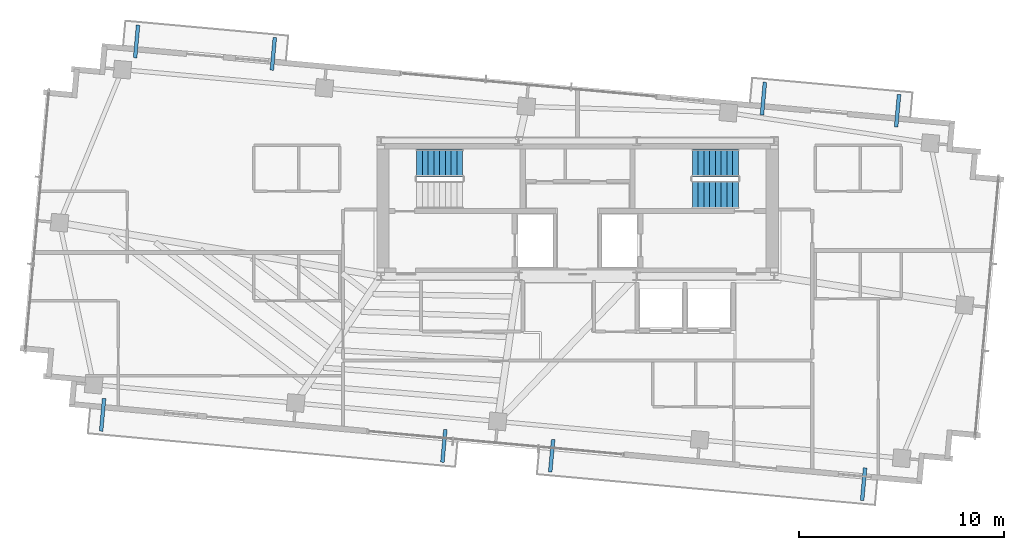
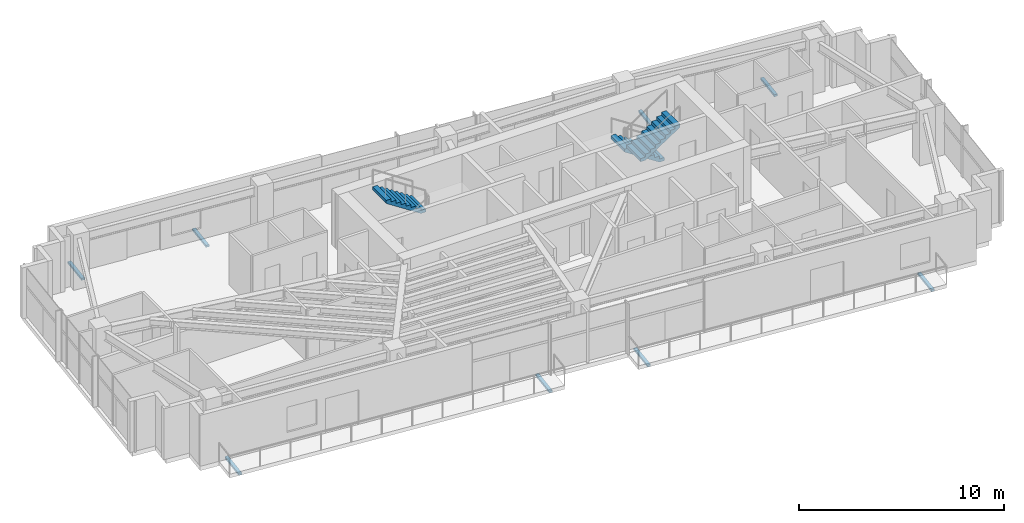
# One storey, part 19 of 22: 8 discrete accessories, 3 stair flights, 2 elements without a shape of their own.
"""IFC4 building model written with IfcOpenShell, lengths in metres."""

from ifc_helpers import new_model, si_unit, direction, frame, origin, origin_2d, place, context, subcontext, project, spatial, polyline, rectangle, outline, extrude, source, transform, mapped, material, type_object, type_shapes, element, aggregate, save


model = new_model("IFC4")

# Units and contexts
model_context = context("Model", 3, precision=1e-05, world=origin(), true_north=direction((0.0, 1.0)))
body_context = subcontext(model_context, "Body", "Model", "MODEL_VIEW")
ifc_project = project(units=[si_unit("LENGTHUNIT", "METRE"), si_unit("AREAUNIT", "SQUARE_METRE"), si_unit("VOLUMEUNIT", "CUBIC_METRE"), si_unit("PLANEANGLEUNIT", "RADIAN"), si_unit("MASSUNIT", "GRAM", prefix="KILO")], contexts=[model_context])

# Site, building, storey
site_placement = place(None, origin())
site = spatial("IfcSite", under=ifc_project, at=site_placement, CompositionType="ELEMENT")
building_placement = place(site_placement, origin())
building = spatial("IfcBuilding", under=site, at=building_placement, Name="Astriad Promenade Condominiums", CompositionType="ELEMENT")
storey_placement = place(building_placement, frame((0.0, 0.0, 249.60009765625)))
storey = spatial("IfcBuildingStorey", under=building, at=storey_placement, Name="L72", CompositionType="ELEMENT", Elevation=249.60009765625)

# Stair, stair flight
ifc_material_1 = material(Name="Concrete C50/60", Category="concrete")
stair_type = type_object("IfcStairType", Name="STR-CORE-1350", PredefinedType="HALF_TURN_STAIR", material=ifc_material_1)
stair_1_placement = place(storey_placement, origin())
stair_1 = element("IfcStair", 1, at=stair_1_placement, inside=storey, type_object=stair_type, Name="L72 Enclosed Core Exit Stair ST-1", PredefinedType="HALF_TURN_STAIR")
stair_flight_type = type_object("IfcStairFlightType", Name="SFL-CORE-1350", PredefinedType="STRAIGHT", material=ifc_material_1)
shared_shape_1 = source(origin(), body_context, "Body", "SweptSolid", [
    extrude(outline(polyline([(0.0, 0.0), (0.0, 0.183349609375), (0.280029296875, 0.183349609375), (0.280029296875, 0.36669921875), (0.56005859375, 0.36669921875), (0.56005859375, 0.550048828125), (0.840087890625, 0.550048828125), (0.840087890625, 0.7333984375), (1.1201171875, 0.7333984375), (1.1201171875, 0.916748046875), (1.39990234375, 0.916748046875), (1.39990234375, 1.10009765625), (1.679931640625, 1.10009765625), (1.679931640625, 1.283447265625), (1.9599609375, 1.283447265625), (1.9599609375, 1.466552734375), (2.239990234375, 1.466552734375), (2.239990234375, 1.64990234375), (2.239990234375, 1.28759765625), (0.273681640625, 0.0), (0.0, 0.0)])), frame((0.0, 0.675048828125, 0.0), z_axis=(0.0, -1.0, 0.0), x_axis=(1.0, 0.0, 0.0)), (0.0, 0.0, 1.0), 1.35009765625),
])
type_shapes(stair_flight_type, [shared_shape_1])
stair_flight_1_placement = place(storey_placement, frame((30.389892578125, 22.925048828125, 1.64990234375), z_axis=(0.0, 0.0, 1.0), x_axis=(-1.0, 0.0, 0.0)))
stair_flight_1 = element("IfcStairFlight", 2, at=stair_flight_1_placement, type_object=stair_flight_type, Name="ST-1 flight 2", NumberOfRisers=9, NumberOfTreads=8, PredefinedType="STRAIGHT", RiserHeight=0.183333333, TreadLength=0.28, context=body_context, shape_type="MappedRepresentation", body=[
    mapped(shared_shape_1, transform((0.0, 0.0, 0.0), scale=1.0)),
])
aggregate(stair_1, [stair_flight_1])

# Stair, stair flights
stair_2_placement = place(storey_placement, origin())
stair_2 = element("IfcStair", 3, at=stair_2_placement, inside=storey, type_object=stair_type, Name="L72 Enclosed Core Exit Stair ST-2", PredefinedType="HALF_TURN_STAIR")
stair_flight_2_placement = place(storey_placement, frame((43.85009765625, 22.925048828125, 0.0), z_axis=(0.0, 0.0, 1.0), x_axis=(-1.0, 0.0, 0.0)))
stair_flight_2 = element("IfcStairFlight", 4, at=stair_flight_2_placement, type_object=stair_flight_type, Name="ST-2 flight 1", NumberOfRisers=9, NumberOfTreads=8, PredefinedType="STRAIGHT", RiserHeight=0.183333333, TreadLength=0.28, context=body_context, shape_type="MappedRepresentation", body=[
    mapped(shared_shape_1, transform((0.0, 0.0, 0.0), scale=1.0)),
])
stair_flight_3_placement = place(storey_placement, frame((41.610107421875, 21.375, 1.64990234375), z_axis=(0.0, 0.0, 1.0), x_axis=(1.0, 0.0, 0.0)))
stair_flight_3 = element("IfcStairFlight", 5, at=stair_flight_3_placement, type_object=stair_flight_type, Name="ST-2 flight 2", NumberOfRisers=9, NumberOfTreads=8, PredefinedType="STRAIGHT", RiserHeight=0.183333333, TreadLength=0.28, context=body_context, shape_type="MappedRepresentation", body=[
    mapped(shared_shape_1, transform((0.0, 0.0, 0.0), scale=1.0)),
])
aggregate(stair_2, [stair_flight_2, stair_flight_3])

# Discrete accessories
ifc_material_2 = material(Name="Steel ASTM A572 Grade 50", Category="steel")
discrete_accessory_type = type_object("IfcDiscreteAccessoryType", Name="STEEL BALCONY OUTRIGGER BRACKET", PredefinedType="BRACKET", material=ifc_material_2)
shared_shape_2 = source(origin(), body_context, "Body", "SweptSolid", [
    extrude(rectangle(XDim=1.60009765625, YDim=0.179931640625, at=origin_2d()), origin(), (0.0, 0.0, 1.0), 0.1220703125),
])
type_shapes(discrete_accessory_type, [shared_shape_2])
for number, where, z_axis, x_axis, name in (
    (6, (12.81884765625, 10.630615234375, -0.340087890625), (0.0, 0.0, 1.0), (-0.090632580198, -0.995884398616, 0.0), "Balcony Outrigger Bracket BAL-L72-SW-A"),
    (7, (29.47509765625, 9.11474609375, -0.340087890625), (0.0, 0.0, 1.0), (-0.090632580198, -0.995884398616, 0.0), "Balcony Outrigger Bracket BAL-L72-SW-B"),
    (8, (34.7373046875, 8.635986328125, -0.340087890625), (0.0, 0.0, 1.0), (-0.090632580198, -0.995884398616, 0.0), "Balcony Outrigger Bracket BAL-L72-SE-A"),
    (9, (49.96142578125, 7.25048828125, -0.340087890625), (0.0, 0.0, 1.0), (-0.090632580198, -0.995884398616, 0.0), "Balcony Outrigger Bracket BAL-L72-SE-B"),
    (10, (14.477294921875, 28.855224609375, -0.340087890625), (0.0, 0.0, 1.0), (0.090632580198, 0.995884398616, 0.0), "Balcony Outrigger Bracket BAL-L72-NW-A"),
    (11, (21.15087890625, 28.248046875, -0.340087890625), (0.0, 0.0, 1.0), (0.090632580198, 0.995884398616, 0.0), "Balcony Outrigger Bracket BAL-L72-NW-B"),
    (12, (45.072021484375, 26.071044921875, -0.340087890625), (0.0, 0.0, 1.0), (0.090632580198, 0.995884398616, 0.0), "Balcony Outrigger Bracket BAL-L72-NE-A"),
    (13, (51.619873046875, 25.47509765625, -0.340087890625), (0.0, 0.0, 1.0), (0.090632580198, 0.995884398616, 0.0), "Balcony Outrigger Bracket BAL-L72-NE-B"),
):
    element("IfcDiscreteAccessory", number, at=place(storey_placement, frame(where, z_axis=z_axis, x_axis=x_axis)), inside=storey, type_object=discrete_accessory_type, Name=name, PredefinedType="BRACKET", context=body_context, shape_type="MappedRepresentation", body=[
        mapped(shared_shape_2, transform((0.0, 0.0, 0.0), scale=1.0)),
    ])

save(model, "model.ifc")
